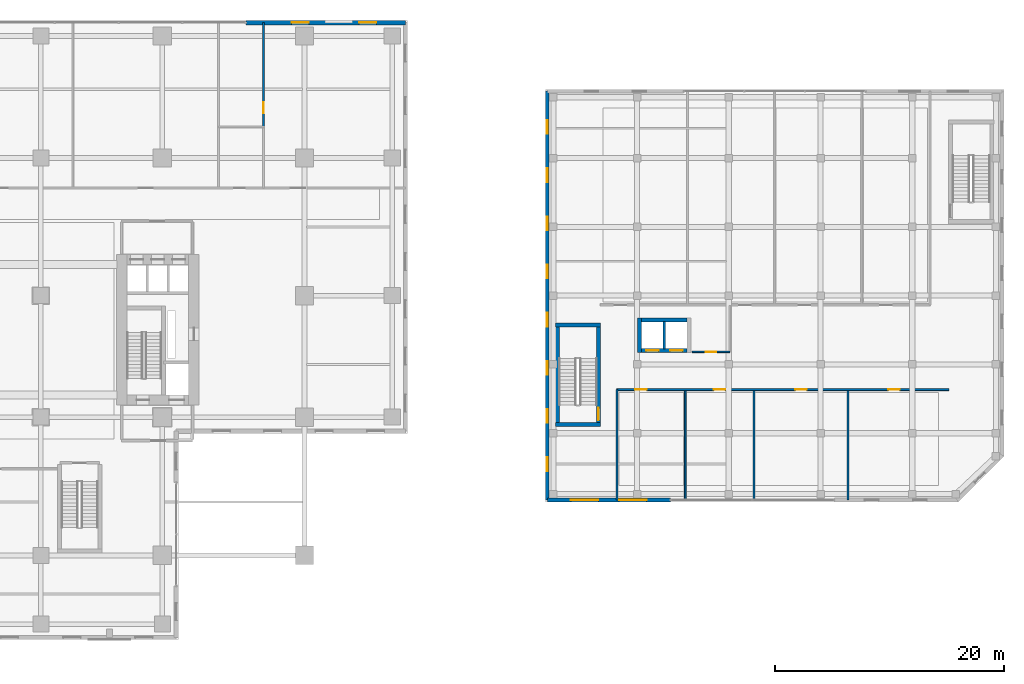
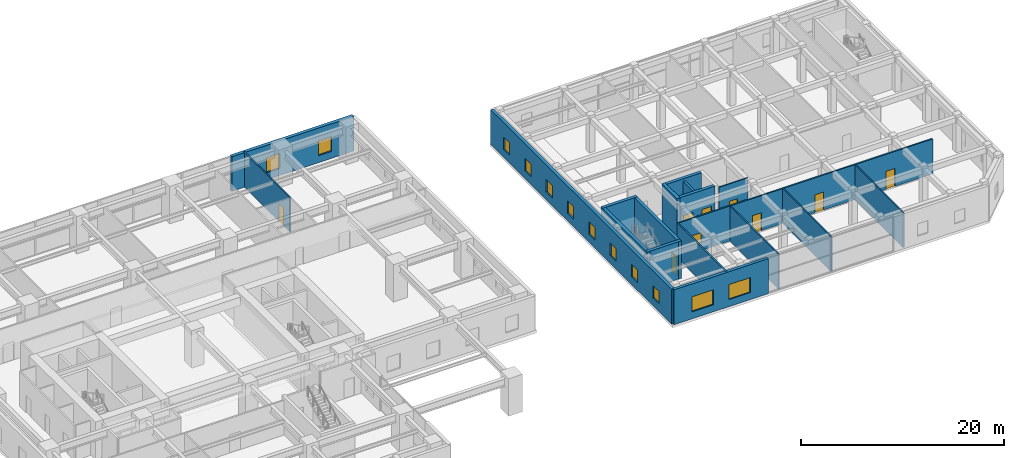
# One storey, part 21 of 28: 18 walls, 12 windows, 9 doors, 21 openings.
"""IFC4 building model written with IfcOpenShell, lengths in metres."""

from ifc_helpers import new_model, si_unit, direction, frame, frame_2d, origin, place, context, subcontext, project, spatial, rectangle, extrude, source, transform, mapped, material, layer, layer_set, type_object, element, fill, save


model = new_model("IFC4")

# Units and contexts
model_context = context("Model", 3, precision=1e-05, world=origin(), true_north=direction((0.0, 1.0)))
body_context = subcontext(model_context, "Body", "Model", "MODEL_VIEW")
ifc_project = project(units=[si_unit("LENGTHUNIT", "METRE"), si_unit("AREAUNIT", "SQUARE_METRE"), si_unit("VOLUMEUNIT", "CUBIC_METRE"), si_unit("PLANEANGLEUNIT", "RADIAN"), si_unit("MASSUNIT", "GRAM", prefix="KILO")], contexts=[model_context])

# Site, building, storey
site_placement = place(None, origin())
site = spatial("IfcSite", under=ifc_project, at=site_placement, CompositionType="ELEMENT")
building_placement = place(site_placement, origin())
building = spatial("IfcBuilding", under=site, at=building_placement, Name="Khoralis Quay Care Tower", CompositionType="ELEMENT")
storey_placement = place(building_placement, frame((0.0, 0.0, 9.0)))
storey = spatial("IfcBuildingStorey", under=building, at=storey_placement, Name="L02", CompositionType="ELEMENT", Elevation=9.0)

# Wall, openings, doors
ifc_material_1 = material(Name="Gypsum plasterboard on acoustic metal stud")
ifc_layer_1 = layer(ifc_material_1, 0.1650390625)
ifc_layer_set_1 = layer_set([ifc_layer_1], Name="Gypsum plasterboard on acoustic metal stud")
wall_type_1 = type_object("IfcWallType", Name="WL-CORR-165", PredefinedType="PARTITIONING", material=ifc_layer_set_1)
wall_1_placement = place(storey_placement, frame((74.25, 15.800048828125, 0.0), z_axis=(0.0, 0.0, 1.0), x_axis=(1.0, 0.0, 0.0)))
wall_1 = element("IfcWall", 1, at=wall_1_placement, inside=storey, type_object=wall_type_1, Name="L02 School Corridor South Wall", PredefinedType="PARTITIONING", context=body_context, shape_type="SweptSolid", body=[
    extrude(rectangle(XDim=28.949951171875, YDim=0.1650390625, at=frame_2d((14.47509765625, 0.0))), origin(), (0.0, 0.0, 1.0), 4.199951171875),
])
opening_1_placement = place(wall_1_placement, frame((1.60009765625, 0.0, 0.0)))
opening_1 = element("IfcOpeningElement", 2, at=opening_1_placement, cuts=wall_1, Name="Opening SCD1", PredefinedType="OPENING", context=body_context, shape_type="SweptSolid", body=[
    extrude(rectangle(XDim=1.0, YDim=2.14990234375, at=frame_2d((0.5, 1.074951171875))), frame((0.0, 0.092529296875, 0.0), z_axis=(0.0, -1.0, 0.0), x_axis=(1.0, 0.0, 0.0)), (0.0, 0.0, 1.0), 0.18505859375),
])
opening_2_placement = place(wall_1_placement, frame((8.449951171875, 0.0, 0.0)))
opening_2 = element("IfcOpeningElement", 3, at=opening_2_placement, cuts=wall_1, Name="Opening SCD1", PredefinedType="OPENING", context=body_context, shape_type="SweptSolid", body=[
    extrude(rectangle(XDim=1.0, YDim=2.14990234375, at=frame_2d((0.5, 1.074951171875))), frame((0.0, 0.092529296875, 0.0), z_axis=(0.0, -1.0, 0.0), x_axis=(1.0, 0.0, 0.0)), (0.0, 0.0, 1.0), 0.18505859375),
])
opening_3_placement = place(wall_1_placement, frame((15.550048828125, 0.0, 0.0)))
opening_3 = element("IfcOpeningElement", 4, at=opening_3_placement, cuts=wall_1, Name="Opening SCD1", PredefinedType="OPENING", context=body_context, shape_type="SweptSolid", body=[
    extrude(rectangle(XDim=1.0, YDim=2.14990234375, at=frame_2d((0.5, 1.074951171875))), frame((0.0, 0.092529296875, 0.0), z_axis=(0.0, -1.0, 0.0), x_axis=(1.0, 0.0, 0.0)), (0.0, 0.0, 1.0), 0.18505859375),
])
opening_4_placement = place(wall_1_placement, frame((23.64990234375, 0.0, 0.0)))
opening_4 = element("IfcOpeningElement", 5, at=opening_4_placement, cuts=wall_1, Name="Opening SCD1", PredefinedType="OPENING", context=body_context, shape_type="SweptSolid", body=[
    extrude(rectangle(XDim=1.0, YDim=2.14990234375, at=frame_2d((0.5, 1.074951171875))), frame((0.0, 0.092529296875, 0.0), z_axis=(0.0, -1.0, 0.0), x_axis=(1.0, 0.0, 0.0)), (0.0, 0.0, 1.0), 0.18505859375),
])
ifc_material_2 = material(Name="Acoustic hardwood timber", Category="wood")
door_type_1 = type_object("IfcDoorType", Name="DR-SCH-1000X2150", OperationType="NOTDEFINED", PredefinedType="DOOR", material=ifc_material_2)
shared_shape_1 = source(origin(), body_context, "Body", "SweptSolid", [
    extrude(rectangle(XDim=1.0, YDim=2.14990234375, at=frame_2d((0.5, 1.074951171875))), frame((0.0, 0.02490234375, 0.0), z_axis=(0.0, -1.0, 0.0), x_axis=(1.0, 0.0, 0.0)), (0.0, 0.0, 1.0), 0.050048828125),
])
door_1_placement = place(opening_1_placement, frame((1.0, 0.0, 0.0), z_axis=(0.0, 0.0, 1.0), x_axis=(-1.0, 0.0, 0.0)))
door_1 = element("IfcDoor", 6, at=door_1_placement, inside=storey, type_object=door_type_1, Name="L02 Digital Media Classroom Door", OperationType="SINGLE_SWING_LEFT", OverallHeight=2.14990234375, OverallWidth=1.0, PredefinedType="DOOR", context=body_context, shape_type="MappedRepresentation", body=[
    mapped(shared_shape_1, transform((0.0, 0.0, 0.0), scale=1.0)),
])
fill(opening_1, door_1)
door_2_placement = place(opening_2_placement, frame((1.0, 0.0, 0.0), z_axis=(0.0, 0.0, 1.0), x_axis=(-1.0, 0.0, 0.0)))
door_2 = element("IfcDoor", 7, at=door_2_placement, inside=storey, type_object=door_type_1, Name="L02 Music & Drama Atelier Door", OperationType="SINGLE_SWING_RIGHT", OverallHeight=2.14990234375, OverallWidth=1.0, PredefinedType="DOOR", context=body_context, shape_type="MappedRepresentation", body=[
    mapped(shared_shape_1, transform((0.0, 0.0, 0.0), scale=1.0)),
])
fill(opening_2, door_2)
door_3_placement = place(opening_3_placement, frame((1.0, 0.0, 0.0), z_axis=(0.0, 0.0, 1.0), x_axis=(-1.0, 0.0, 0.0)))
door_3 = element("IfcDoor", 8, at=door_3_placement, inside=storey, type_object=door_type_1, Name="L02 Primary Classroom Door", OperationType="SINGLE_SWING_LEFT", OverallHeight=2.14990234375, OverallWidth=1.0, PredefinedType="DOOR", context=body_context, shape_type="MappedRepresentation", body=[
    mapped(shared_shape_1, transform((0.0, 0.0, 0.0), scale=1.0)),
])
fill(opening_3, door_3)
door_4_placement = place(opening_4_placement, frame((1.0, 0.0, 0.0), z_axis=(0.0, 0.0, 1.0), x_axis=(-1.0, 0.0, 0.0)))
door_4 = element("IfcDoor", 9, at=door_4_placement, inside=storey, type_object=door_type_1, Name="L02 STEM Science Laboratory Door", OperationType="SINGLE_SWING_RIGHT", OverallHeight=2.14990234375, OverallWidth=1.0, PredefinedType="DOOR", context=body_context, shape_type="MappedRepresentation", body=[
    mapped(shared_shape_1, transform((0.0, 0.0, 0.0), scale=1.0)),
])
fill(opening_4, door_4)

# Wall
wall_2_placement = place(storey_placement, frame((74.25, 6.18505859375, 0.0), z_axis=(0.0, 0.0, 1.0), x_axis=(0.0, 1.0, 0.0)))
element("IfcWall", 10, at=wall_2_placement, inside=storey, type_object=wall_type_1, Name="L02 School Stair Vestibule East Wall", PredefinedType="PARTITIONING", context=body_context, shape_type="SweptSolid", body=[
    extrude(rectangle(XDim=9.614990234375, YDim=0.1650390625, at=frame_2d((4.8076171875, 0.0))), origin(), (0.0, 0.0, 1.0), 4.199951171875),
])

# Wall, openings, windows
ifc_material_3 = material(Name="Precast concrete C45/55", Category="concrete")
ifc_layer_2 = layer(ifc_material_3, 0.3798828125)
ifc_layer_set_2 = layer_set([ifc_layer_2], Name="Precast concrete C45/55")
wall_type_2 = type_object("IfcWallType", Name="WL-EXT-POD-380", PredefinedType="SOLIDWALL", material=ifc_layer_set_2)
wall_3_placement = place(storey_placement, frame((55.81005859375, 47.81005859375, 0.0), z_axis=(0.0, 0.0, 1.0), x_axis=(-1.0, 0.0, 0.0)))
wall_3 = element("IfcWall", 11, at=wall_3_placement, inside=storey, type_object=wall_type_2, Name="L02 External Facade Wall WL-POD-L02-E4A", PredefinedType="SOLIDWALL", context=body_context, shape_type="SweptSolid", body=[
    extrude(rectangle(XDim=13.905029296875, YDim=0.3798828125, at=frame_2d((6.95263671875, 0.0))), origin(), (0.0, 0.0, 1.0), 4.159912109375),
])
opening_5_placement = place(wall_3_placement, frame((2.552490234375, 0.0, 0.85009765625)))
opening_5 = element("IfcOpeningElement", 12, at=opening_5_placement, cuts=wall_3, Name="Opening W3", PredefinedType="OPENING", context=body_context, shape_type="SweptSolid", body=[
    extrude(rectangle(XDim=1.5, YDim=1.800048828125, at=frame_2d((0.75, 0.89990234375))), frame((0.0, 0.199951171875, 0.0), z_axis=(0.0, -1.0, 0.0), x_axis=(1.0, 0.0, 0.0)), (0.0, 0.0, 1.0), 0.39990234375),
])
opening_6_placement = place(wall_3_placement, frame((8.4375, 0.0, 0.85009765625)))
opening_6 = element("IfcOpeningElement", 13, at=opening_6_placement, cuts=wall_3, Name="Opening W3", PredefinedType="OPENING", context=body_context, shape_type="SweptSolid", body=[
    extrude(rectangle(XDim=1.5, YDim=1.800048828125, at=frame_2d((0.75, 0.89990234375))), frame((0.0, 0.199951171875, 0.0), z_axis=(0.0, -1.0, 0.0), x_axis=(1.0, 0.0, 0.0)), (0.0, 0.0, 1.0), 0.39990234375),
])
ifc_material_4 = material(Name="Low-E solar-control double glazing", Category="glass")
window_type_1 = type_object("IfcWindowType", Name="WN-CLIN-1500X1800", PartitioningType="SINGLE_PANEL", PredefinedType="WINDOW", material=ifc_material_4)
shared_shape_2 = source(origin(), body_context, "Body", "SweptSolid", [
    extrude(rectangle(XDim=1.5, YDim=1.800048828125, at=frame_2d((0.75, 0.89990234375))), frame((0.0, 0.030029296875, 0.0), z_axis=(0.0, -1.0, 0.0), x_axis=(1.0, 0.0, 0.0)), (0.0, 0.0, 1.0), 0.06005859375),
])
window_1_placement = place(opening_5_placement, origin())
window_1 = element("IfcWindow", 14, at=window_1_placement, inside=storey, type_object=window_type_1, Name="WN-POD-L02-4A Facade Window 01", OverallHeight=1.800048828125, OverallWidth=1.5, PartitioningType="SINGLE_PANEL", PredefinedType="WINDOW", context=body_context, shape_type="MappedRepresentation", body=[
    mapped(shared_shape_2, transform((0.0, 0.0, 0.0), scale=1.0)),
])
fill(opening_5, window_1)
window_2_placement = place(opening_6_placement, origin())
window_2 = element("IfcWindow", 15, at=window_2_placement, inside=storey, type_object=window_type_1, Name="WN-POD-L02-4A Facade Window 02", OverallHeight=1.800048828125, OverallWidth=1.5, PartitioningType="SINGLE_PANEL", PredefinedType="WINDOW", context=body_context, shape_type="MappedRepresentation", body=[
    mapped(shared_shape_2, transform((0.0, 0.0, 0.0), scale=1.0)),
])
fill(opening_6, window_2)

ifc_material_5 = material(Name="Precast concrete C40/50", Category="concrete")
ifc_layer_3 = layer(ifc_material_5, 0.340087890625)
ifc_layer_set_3 = layer_set([ifc_layer_3], Name="Precast concrete C40/50")
wall_type_3 = type_object("IfcWallType", Name="WL-EXT-SCH-340", PredefinedType="SOLIDWALL", material=ifc_layer_set_3)
wall_4_placement = place(storey_placement, frame((68.169921875, 6.169921875, 0.0), z_axis=(0.0, 0.0, 1.0), x_axis=(1.0, 0.0, 0.0)))
wall_4 = element("IfcWall", 16, at=wall_4_placement, inside=storey, type_object=wall_type_3, Name="L02 External Facade Wall WL-SCH-L02-E0A", PredefinedType="SOLIDWALL", context=body_context, shape_type="SweptSolid", body=[
    extrude(rectangle(XDim=10.72802734375, YDim=0.340087890625, at=frame_2d((5.364013671875, 0.0))), origin(), (0.0, 0.0, 1.0), 4.199951171875),
])
opening_7_placement = place(wall_4_placement, frame((2.06396484375, 0.0, 0.85009765625)))
opening_7 = element("IfcOpeningElement", 17, at=opening_7_placement, cuts=wall_4, Name="Opening W4", PredefinedType="OPENING", context=body_context, shape_type="SweptSolid", body=[
    extrude(rectangle(XDim=2.39990234375, YDim=1.800048828125, at=frame_2d((1.199951171875, 0.89990234375))), frame((0.0, 0.18017578125, 0.0), z_axis=(0.0, -1.0, 0.0), x_axis=(1.0, 0.0, 0.0)), (0.0, 0.0, 1.0), 0.360107421875),
])
opening_8_placement = place(wall_4_placement, frame((6.263916015625, 0.0, 0.85009765625)))
opening_8 = element("IfcOpeningElement", 18, at=opening_8_placement, cuts=wall_4, Name="Opening W4", PredefinedType="OPENING", context=body_context, shape_type="SweptSolid", body=[
    extrude(rectangle(XDim=2.39990234375, YDim=1.800048828125, at=frame_2d((1.199951171875, 0.89990234375))), frame((0.0, 0.18017578125, 0.0), z_axis=(0.0, -1.0, 0.0), x_axis=(1.0, 0.0, 0.0)), (0.0, 0.0, 1.0), 0.360107421875),
])
window_type_2 = type_object("IfcWindowType", Name="WN-SCH-2400X1800", PartitioningType="SINGLE_PANEL", PredefinedType="WINDOW", material=ifc_material_4)
shared_shape_3 = source(origin(), body_context, "Body", "SweptSolid", [
    extrude(rectangle(XDim=2.39990234375, YDim=1.800048828125, at=frame_2d((1.199951171875, 0.89990234375))), frame((0.0, 0.030029296875, 0.0), z_axis=(0.0, -1.0, 0.0), x_axis=(1.0, 0.0, 0.0)), (0.0, 0.0, 1.0), 0.06005859375),
])
window_3_placement = place(opening_7_placement, origin())
window_3 = element("IfcWindow", 19, at=window_3_placement, inside=storey, type_object=window_type_2, Name="WN-SCH-L02-0A Classroom Window 01", OverallHeight=1.800048828125, OverallWidth=2.39990234375, PartitioningType="SINGLE_PANEL", PredefinedType="WINDOW", context=body_context, shape_type="MappedRepresentation", body=[
    mapped(shared_shape_3, transform((0.0, 0.0, 0.0), scale=1.0)),
])
fill(opening_7, window_3)
window_4_placement = place(opening_8_placement, origin())
window_4 = element("IfcWindow", 20, at=window_4_placement, inside=storey, type_object=window_type_2, Name="WN-SCH-L02-0A Classroom Window 02", OverallHeight=1.800048828125, OverallWidth=2.39990234375, PartitioningType="SINGLE_PANEL", PredefinedType="WINDOW", context=body_context, shape_type="MappedRepresentation", body=[
    mapped(shared_shape_3, transform((0.0, 0.0, 0.0), scale=1.0)),
])
fill(opening_8, window_4)

wall_5_placement = place(storey_placement, frame((68.169921875, 41.830078125, 0.0), z_axis=(0.0, 0.0, 1.0), x_axis=(0.0, -1.0, 0.0)))
wall_5 = element("IfcWall", 21, at=wall_5_placement, inside=storey, type_object=wall_type_3, Name="L02 External Facade Wall WL-SCH-L02-E4", PredefinedType="SOLIDWALL", context=body_context, shape_type="SweptSolid", body=[
    extrude(rectangle(XDim=35.66015625, YDim=0.340087890625, at=frame_2d((17.830078125, 0.0))), origin(), (0.0, 0.0, 1.0), 4.199951171875),
])
opening_9_placement = place(wall_5_placement, frame((2.530029296875, 0.0, 0.949951171875)))
opening_9 = element("IfcOpeningElement", 22, at=opening_9_placement, cuts=wall_5, Name="Opening W6", PredefinedType="OPENING", context=body_context, shape_type="SweptSolid", body=[
    extrude(rectangle(XDim=1.199951171875, YDim=1.5, at=frame_2d((0.60009765625, 0.75))), frame((0.0, 0.18017578125, 0.0), z_axis=(0.0, -1.0, 0.0), x_axis=(1.0, 0.0, 0.0)), (0.0, 0.0, 1.0), 0.360107421875),
])
opening_10_placement = place(wall_5_placement, frame((6.72998046875, 0.0, 0.949951171875)))
opening_10 = element("IfcOpeningElement", 23, at=opening_10_placement, cuts=wall_5, Name="Opening W6", PredefinedType="OPENING", context=body_context, shape_type="SweptSolid", body=[
    extrude(rectangle(XDim=1.199951171875, YDim=1.5, at=frame_2d((0.60009765625, 0.75))), frame((0.0, 0.18017578125, 0.0), z_axis=(0.0, -1.0, 0.0), x_axis=(1.0, 0.0, 0.0)), (0.0, 0.0, 1.0), 0.360107421875),
])
opening_11_placement = place(wall_5_placement, frame((10.929931640625, 0.0, 0.949951171875)))
opening_11 = element("IfcOpeningElement", 24, at=opening_11_placement, cuts=wall_5, Name="Opening W6", PredefinedType="OPENING", context=body_context, shape_type="SweptSolid", body=[
    extrude(rectangle(XDim=1.199951171875, YDim=1.5, at=frame_2d((0.60009765625, 0.75))), frame((0.0, 0.18017578125, 0.0), z_axis=(0.0, -1.0, 0.0), x_axis=(1.0, 0.0, 0.0)), (0.0, 0.0, 1.0), 0.360107421875),
])
opening_12_placement = place(wall_5_placement, frame((15.1298828125, 0.0, 0.949951171875)))
opening_12 = element("IfcOpeningElement", 25, at=opening_12_placement, cuts=wall_5, Name="Opening W6", PredefinedType="OPENING", context=body_context, shape_type="SweptSolid", body=[
    extrude(rectangle(XDim=1.199951171875, YDim=1.5, at=frame_2d((0.60009765625, 0.75))), frame((0.0, 0.18017578125, 0.0), z_axis=(0.0, -1.0, 0.0), x_axis=(1.0, 0.0, 0.0)), (0.0, 0.0, 1.0), 0.360107421875),
])
opening_13_placement = place(wall_5_placement, frame((19.330078125, 0.0, 0.949951171875)))
opening_13 = element("IfcOpeningElement", 26, at=opening_13_placement, cuts=wall_5, Name="Opening W6", PredefinedType="OPENING", context=body_context, shape_type="SweptSolid", body=[
    extrude(rectangle(XDim=1.199951171875, YDim=1.5, at=frame_2d((0.60009765625, 0.75))), frame((0.0, 0.18017578125, 0.0), z_axis=(0.0, -1.0, 0.0), x_axis=(1.0, 0.0, 0.0)), (0.0, 0.0, 1.0), 0.360107421875),
])
opening_14_placement = place(wall_5_placement, frame((23.530029296875, 0.0, 0.949951171875)))
opening_14 = element("IfcOpeningElement", 27, at=opening_14_placement, cuts=wall_5, Name="Opening W6", PredefinedType="OPENING", context=body_context, shape_type="SweptSolid", body=[
    extrude(rectangle(XDim=1.199951171875, YDim=1.5, at=frame_2d((0.60009765625, 0.75))), frame((0.0, 0.18017578125, 0.0), z_axis=(0.0, -1.0, 0.0), x_axis=(1.0, 0.0, 0.0)), (0.0, 0.0, 1.0), 0.360107421875),
])
opening_15_placement = place(wall_5_placement, frame((27.72998046875, 0.0, 0.949951171875)))
opening_15 = element("IfcOpeningElement", 28, at=opening_15_placement, cuts=wall_5, Name="Opening W6", PredefinedType="OPENING", context=body_context, shape_type="SweptSolid", body=[
    extrude(rectangle(XDim=1.199951171875, YDim=1.5, at=frame_2d((0.60009765625, 0.75))), frame((0.0, 0.18017578125, 0.0), z_axis=(0.0, -1.0, 0.0), x_axis=(1.0, 0.0, 0.0)), (0.0, 0.0, 1.0), 0.360107421875),
])
opening_16_placement = place(wall_5_placement, frame((31.929931640625, 0.0, 0.949951171875)))
opening_16 = element("IfcOpeningElement", 29, at=opening_16_placement, cuts=wall_5, Name="Opening W6", PredefinedType="OPENING", context=body_context, shape_type="SweptSolid", body=[
    extrude(rectangle(XDim=1.199951171875, YDim=1.5, at=frame_2d((0.60009765625, 0.75))), frame((0.0, 0.18017578125, 0.0), z_axis=(0.0, -1.0, 0.0), x_axis=(1.0, 0.0, 0.0)), (0.0, 0.0, 1.0), 0.360107421875),
])
window_type_3 = type_object("IfcWindowType", Name="WN-SCH-1200X1500", PartitioningType="SINGLE_PANEL", PredefinedType="WINDOW", material=ifc_material_4)
shared_shape_4 = source(origin(), body_context, "Body", "SweptSolid", [
    extrude(rectangle(XDim=1.199951171875, YDim=1.5, at=frame_2d((0.60009765625, 0.75))), frame((0.0, 0.030029296875, 0.0), z_axis=(0.0, -1.0, 0.0), x_axis=(1.0, 0.0, 0.0)), (0.0, 0.0, 1.0), 0.06005859375),
])
window_5_placement = place(opening_9_placement, origin())
window_5 = element("IfcWindow", 30, at=window_5_placement, inside=storey, type_object=window_type_3, Name="WN-SCH-L02-E4 Classroom Window 01", OverallHeight=1.5, OverallWidth=1.199951171875, PartitioningType="SINGLE_PANEL", PredefinedType="WINDOW", context=body_context, shape_type="MappedRepresentation", body=[
    mapped(shared_shape_4, transform((0.0, 0.0, 0.0), scale=1.0)),
])
fill(opening_9, window_5)
window_6_placement = place(opening_10_placement, origin())
window_6 = element("IfcWindow", 31, at=window_6_placement, inside=storey, type_object=window_type_3, Name="WN-SCH-L02-E4 Classroom Window 02", OverallHeight=1.5, OverallWidth=1.199951171875, PartitioningType="SINGLE_PANEL", PredefinedType="WINDOW", context=body_context, shape_type="MappedRepresentation", body=[
    mapped(shared_shape_4, transform((0.0, 0.0, 0.0), scale=1.0)),
])
fill(opening_10, window_6)
window_7_placement = place(opening_11_placement, origin())
window_7 = element("IfcWindow", 32, at=window_7_placement, inside=storey, type_object=window_type_3, Name="WN-SCH-L02-E4 Classroom Window 03", OverallHeight=1.5, OverallWidth=1.199951171875, PartitioningType="SINGLE_PANEL", PredefinedType="WINDOW", context=body_context, shape_type="MappedRepresentation", body=[
    mapped(shared_shape_4, transform((0.0, 0.0, 0.0), scale=1.0)),
])
fill(opening_11, window_7)
window_8_placement = place(opening_12_placement, origin())
window_8 = element("IfcWindow", 33, at=window_8_placement, inside=storey, type_object=window_type_3, Name="WN-SCH-L02-E4 Classroom Window 04", OverallHeight=1.5, OverallWidth=1.199951171875, PartitioningType="SINGLE_PANEL", PredefinedType="WINDOW", context=body_context, shape_type="MappedRepresentation", body=[
    mapped(shared_shape_4, transform((0.0, 0.0, 0.0), scale=1.0)),
])
fill(opening_12, window_8)
window_9_placement = place(opening_13_placement, origin())
window_9 = element("IfcWindow", 34, at=window_9_placement, inside=storey, type_object=window_type_3, Name="WN-SCH-L02-E4 Classroom Window 05", OverallHeight=1.5, OverallWidth=1.199951171875, PartitioningType="SINGLE_PANEL", PredefinedType="WINDOW", context=body_context, shape_type="MappedRepresentation", body=[
    mapped(shared_shape_4, transform((0.0, 0.0, 0.0), scale=1.0)),
])
fill(opening_13, window_9)
window_10_placement = place(opening_14_placement, origin())
window_10 = element("IfcWindow", 35, at=window_10_placement, inside=storey, type_object=window_type_3, Name="WN-SCH-L02-E4 Classroom Window 06", OverallHeight=1.5, OverallWidth=1.199951171875, PartitioningType="SINGLE_PANEL", PredefinedType="WINDOW", context=body_context, shape_type="MappedRepresentation", body=[
    mapped(shared_shape_4, transform((0.0, 0.0, 0.0), scale=1.0)),
])
fill(opening_14, window_10)
window_11_placement = place(opening_15_placement, origin())
window_11 = element("IfcWindow", 36, at=window_11_placement, inside=storey, type_object=window_type_3, Name="WN-SCH-L02-E4 Classroom Window 07", OverallHeight=1.5, OverallWidth=1.199951171875, PartitioningType="SINGLE_PANEL", PredefinedType="WINDOW", context=body_context, shape_type="MappedRepresentation", body=[
    mapped(shared_shape_4, transform((0.0, 0.0, 0.0), scale=1.0)),
])
fill(opening_15, window_11)
window_12_placement = place(opening_16_placement, origin())
window_12 = element("IfcWindow", 37, at=window_12_placement, inside=storey, type_object=window_type_3, Name="WN-SCH-L02-E4 Classroom Window 08", OverallHeight=1.5, OverallWidth=1.199951171875, PartitioningType="SINGLE_PANEL", PredefinedType="WINDOW", context=body_context, shape_type="MappedRepresentation", body=[
    mapped(shared_shape_4, transform((0.0, 0.0, 0.0), scale=1.0)),
])
fill(opening_16, window_12)

# Wall, opening, door
ifc_material_6 = material(Name="Moisture-resistant gypsum and ceramic tile")
ifc_layer_4 = layer(ifc_material_6, 0.280029296875)
ifc_layer_set_4 = layer_set([ifc_layer_4], Name="Moisture-resistant gypsum and ceramic tile")
wall_type_4 = type_object("IfcWallType", Name="WL-PLUMB-280", PredefinedType="PLUMBINGWALL", material=ifc_layer_set_4)
wall_6_placement = place(storey_placement, frame((80.800048828125, 19.10009765625, 0.0), z_axis=(0.0, 0.0, 1.0), x_axis=(1.0, 0.0, 0.0)))
wall_6 = element("IfcWall", 38, at=wall_6_placement, inside=storey, type_object=wall_type_4, Name="L02 School WC South Wall", PredefinedType="PLUMBINGWALL", context=body_context, shape_type="SweptSolid", body=[
    extrude(rectangle(XDim=3.300048828125, YDim=0.139892578125, at=frame_2d((1.64990234375, 0.0))), origin(), (0.0, 0.0, 1.0), 4.199951171875),
])
opening_17_placement = place(wall_6_placement, frame((1.199951171875, 0.0, 0.0)))
opening_17 = element("IfcOpeningElement", 39, at=opening_17_placement, cuts=wall_6, Name="Opening WD1", PredefinedType="OPENING", context=body_context, shape_type="SweptSolid", body=[
    extrude(rectangle(XDim=0.89990234375, YDim=2.10009765625, at=frame_2d((0.449951171875, 1.050048828125))), frame((0.0, 0.080078125, 0.0), z_axis=(0.0, -1.0, 0.0), x_axis=(1.0, 0.0, 0.0)), (0.0, 0.0, 1.0), 0.159912109375),
])
door_type_2 = type_object("IfcDoorType", Name="DR-BATH-900X2100", OperationType="NOTDEFINED", PredefinedType="DOOR", material=ifc_material_2)
shared_shape_5 = source(origin(), body_context, "Body", "SweptSolid", [
    extrude(rectangle(XDim=0.89990234375, YDim=2.10009765625, at=frame_2d((0.449951171875, 1.050048828125))), frame((0.0, 0.02490234375, 0.0), z_axis=(0.0, -1.0, 0.0), x_axis=(1.0, 0.0, 0.0)), (0.0, 0.0, 1.0), 0.050048828125),
])
door_5_placement = place(opening_17_placement, frame((0.89990234375, 0.0, 0.0), z_axis=(0.0, 0.0, 1.0), x_axis=(-1.0, 0.0, 0.0)))
door_5 = element("IfcDoor", 40, at=door_5_placement, inside=storey, type_object=door_type_2, Name="L02 School Accessible WC Door", OperationType="SINGLE_SWING_LEFT", OverallHeight=2.10009765625, OverallWidth=0.89990234375, PredefinedType="DOOR", context=body_context, shape_type="MappedRepresentation", body=[
    mapped(shared_shape_5, transform((0.0, 0.0, 0.0), scale=1.0)),
])
fill(opening_17, door_5)

ifc_material_7 = material(Name="Concrete C40/50", Category="concrete")
ifc_layer_5 = layer(ifc_material_7, 0.35009765625)
ifc_layer_set_5 = layer_set([ifc_layer_5], Name="Concrete C40/50")
wall_type_5 = type_object("IfcWallType", Name="WL-SC-CORE-350", PredefinedType="SHEAR", material=ifc_layer_set_5)
wall_7_placement = place(storey_placement, frame((72.655029296875, 12.570068359375, 0.0), z_axis=(0.0, 0.0, 1.0), x_axis=(0.0, 1.0, 0.0)))
wall_7 = element("IfcWall", 41, at=wall_7_placement, inside=storey, type_object=wall_type_5, Name="L02 School Stair ST-S1 East Shear Wall", PredefinedType="SHEAR", context=body_context, shape_type="SweptSolid", body=[
    extrude(rectangle(XDim=9.059814453125, YDim=0.35009765625, at=frame_2d((4.52978515625, 0.0))), origin(), (0.0, 0.0, 1.0), 4.5),
])
opening_18_placement = place(wall_7_placement, frame((0.550048828125, 0.0, 0.0)))
opening_18 = element("IfcOpeningElement", 42, at=opening_18_placement, cuts=wall_7, Name="Opening SD1", PredefinedType="OPENING", context=body_context, shape_type="SweptSolid", body=[
    extrude(rectangle(XDim=1.10009765625, YDim=2.199951171875, at=frame_2d((0.550048828125, 1.10009765625))), frame((0.0, 0.18505859375, 0.0), z_axis=(0.0, -1.0, 0.0), x_axis=(1.0, 0.0, 0.0)), (0.0, 0.0, 1.0), 0.3701171875),
])
ifc_material_8 = material(Name="Fire-rated painted steel", Category="steel")
door_type_3 = type_object("IfcDoorType", Name="DR-STAIR-1100X2200", OperationType="NOTDEFINED", PredefinedType="DOOR", material=ifc_material_8)
shared_shape_6 = source(origin(), body_context, "Body", "SweptSolid", [
    extrude(rectangle(XDim=1.10009765625, YDim=2.199951171875, at=frame_2d((0.550048828125, 1.10009765625))), frame((0.0, 0.02490234375, 0.0), z_axis=(0.0, -1.0, 0.0), x_axis=(1.0, 0.0, 0.0)), (0.0, 0.0, 1.0), 0.050048828125),
])
door_6_placement = place(opening_18_placement, origin())
door_6 = element("IfcDoor", 43, at=door_6_placement, inside=storey, type_object=door_type_3, Name="L02 School Stair ST-S1 Door", OperationType="SINGLE_SWING_LEFT", OverallHeight=2.199951171875, OverallWidth=1.10009765625, PredefinedType="DOOR", context=body_context, shape_type="MappedRepresentation", body=[
    mapped(shared_shape_6, transform((0.0, 0.0, 0.0), scale=1.0)),
])
fill(opening_18, door_6)

# Walls
for number, where, z_axis, x_axis, name in (
    (44, (68.8701171875, 12.7451171875, 0.0), (0.0, 0.0, 1.0), (1.0, 0.0, 0.0), "L02 School Stair ST-S1 South Shear Wall"),
    (45, (68.8701171875, 21.455078125, 0.0), (0.0, 0.0, 1.0), (1.0, 0.0, 0.0), "L02 School Stair ST-S1 North Shear Wall"),
):
    element("IfcWall", number, at=place(storey_placement, frame(where, z_axis=z_axis, x_axis=x_axis)), inside=storey, type_object=wall_type_5, Name=name, PredefinedType="SHEAR", context=body_context, shape_type="SweptSolid", body=[
        extrude(rectangle(XDim=3.9599609375, YDim=0.35009765625, at=frame_2d((1.97998046875, 0.0))), origin(), (0.0, 0.0, 1.0), 4.5),
    ])
wall_8_placement = place(storey_placement, frame((69.044921875, 12.570068359375, 0.0), z_axis=(0.0, 0.0, 1.0), x_axis=(0.0, 1.0, 0.0)))
element("IfcWall", 46, at=wall_8_placement, inside=storey, type_object=wall_type_5, Name="L02 School Stair ST-S1 West Shear Wall", PredefinedType="SHEAR", context=body_context, shape_type="SweptSolid", body=[
    extrude(rectangle(XDim=9.059814453125, YDim=0.35009765625, at=frame_2d((4.52978515625, 0.0))), origin(), (0.0, 0.0, 1.0), 4.5),
])
wall_9_placement = place(storey_placement, frame((76.22509765625, 19.050048828125, 0.0), z_axis=(0.0, 0.0, 1.0), x_axis=(0.0, 1.0, 0.0)))
element("IfcWall", 47, at=wall_9_placement, inside=storey, type_object=wall_type_5, Name="WL-SCCORE-L02-W", PredefinedType="SHEAR", context=body_context, shape_type="SweptSolid", body=[
    extrude(rectangle(XDim=3.0, YDim=0.35009765625, at=frame_2d((1.5, 0.0))), origin(), (0.0, 0.0, 1.0), 4.5),
])
wall_10_placement = place(storey_placement, frame((76.39990234375, 21.875, 0.0), z_axis=(0.0, 0.0, 1.0), x_axis=(1.0, 0.0, 0.0)))
element("IfcWall", 48, at=wall_10_placement, inside=storey, type_object=wall_type_5, Name="WL-SCCORE-L02-N", PredefinedType="SHEAR", context=body_context, shape_type="SweptSolid", body=[
    extrude(rectangle(XDim=3.9501953125, YDim=0.35009765625, at=frame_2d((1.97509765625, 0.0))), origin(), (0.0, 0.0, 1.0), 4.5),
])

# Wall, openings, doors
wall_11_placement = place(storey_placement, frame((76.39990234375, 19.22509765625, 0.0), z_axis=(0.0, 0.0, 1.0), x_axis=(1.0, 0.0, 0.0)))
wall_11 = element("IfcWall", 49, at=wall_11_placement, inside=storey, type_object=wall_type_5, Name="WL-SCCORE-L02-S", PredefinedType="SHEAR", context=body_context, shape_type="SweptSolid", body=[
    extrude(rectangle(XDim=3.9501953125, YDim=0.35009765625, at=frame_2d((1.97509765625, 0.0))), origin(), (0.0, 0.0, 1.0), 4.5),
])
opening_19_placement = place(wall_11_placement, frame((0.3798828125, 0.0, 0.0)))
opening_19 = element("IfcOpeningElement", 50, at=opening_19_placement, cuts=wall_11, Name="Opening LD1", PredefinedType="OPENING", context=body_context, shape_type="SweptSolid", body=[
    extrude(rectangle(XDim=1.10009765625, YDim=2.199951171875, at=frame_2d((0.550048828125, 1.10009765625))), frame((0.0, 0.18505859375, 0.0), z_axis=(0.0, -1.0, 0.0), x_axis=(1.0, 0.0, 0.0)), (0.0, 0.0, 1.0), 0.3701171875),
])
opening_20_placement = place(wall_11_placement, frame((2.47998046875, 0.0, 0.0)))
opening_20 = element("IfcOpeningElement", 51, at=opening_20_placement, cuts=wall_11, Name="Opening LD1", PredefinedType="OPENING", context=body_context, shape_type="SweptSolid", body=[
    extrude(rectangle(XDim=1.10009765625, YDim=2.199951171875, at=frame_2d((0.550048828125, 1.10009765625))), frame((0.0, 0.18505859375, 0.0), z_axis=(0.0, -1.0, 0.0), x_axis=(1.0, 0.0, 0.0)), (0.0, 0.0, 1.0), 0.3701171875),
])
ifc_material_9 = material(Name="Brushed stainless steel", Category="steel")
door_type_4 = type_object("IfcDoorType", Name="DR-LIFT-1100X2200", OperationType="SLIDING_TO_LEFT", PredefinedType="DOOR", material=ifc_material_9)
shared_shape_7 = source(origin(), body_context, "Body", "SweptSolid", [
    extrude(rectangle(XDim=1.10009765625, YDim=2.199951171875, at=frame_2d((0.550048828125, 1.10009765625))), frame((0.0, 0.02490234375, 0.0), z_axis=(0.0, -1.0, 0.0), x_axis=(1.0, 0.0, 0.0)), (0.0, 0.0, 1.0), 0.050048828125),
])
door_7_placement = place(opening_19_placement, origin())
door_7 = element("IfcDoor", 52, at=door_7_placement, inside=storey, type_object=door_type_4, Name="L02 School Lift 1 Door", OperationType="SLIDING_TO_LEFT", OverallHeight=2.199951171875, OverallWidth=1.10009765625, PredefinedType="DOOR", context=body_context, shape_type="MappedRepresentation", body=[
    mapped(shared_shape_7, transform((0.0, 0.0, 0.0), scale=1.0)),
])
fill(opening_19, door_7)
door_8_placement = place(opening_20_placement, origin())
door_8 = element("IfcDoor", 53, at=door_8_placement, inside=storey, type_object=door_type_4, Name="L02 School Lift 2 Door", OperationType="SLIDING_TO_RIGHT", OverallHeight=2.199951171875, OverallWidth=1.10009765625, PredefinedType="DOOR", context=body_context, shape_type="MappedRepresentation", body=[
    mapped(shared_shape_7, transform((0.0, 0.0, 0.0), scale=1.0)),
])
fill(opening_20, door_8)

# Walls
ifc_layer_6 = layer(ifc_material_1, 0.239990234375)
ifc_layer_set_6 = layer_set([ifc_layer_6], Name="Gypsum plasterboard on acoustic metal stud")
wall_type_6 = type_object("IfcWallType", Name="WL-SHAFT-240", PredefinedType="PARTITIONING", material=ifc_layer_set_6)
wall_12_placement = place(storey_placement, frame((78.3798828125, 19.35009765625, 0.0), z_axis=(0.0, 0.0, 1.0), x_axis=(0.0, 1.0, 0.0)))
element("IfcWall", 54, at=wall_12_placement, inside=storey, type_object=wall_type_6, Name="L02 School Lift Divider", PredefinedType="PARTITIONING", context=body_context, shape_type="SweptSolid", body=[
    extrude(rectangle(XDim=2.39990234375, YDim=0.239990234375, at=frame_2d((1.199951171875, 0.0))), origin(), (0.0, 0.0, 1.0), 4.199951171875),
])
ifc_layer_7 = layer(ifc_material_1, 0.139892578125)
ifc_layer_set_7 = layer_set([ifc_layer_7], Name="Gypsum plasterboard on acoustic metal stud")
wall_type_7 = type_object("IfcWallType", Name="WL-UNIT-140", PredefinedType="PARTITIONING", material=ifc_layer_set_7)
for number, where, z_axis, x_axis, name in (
    (55, (80.199951171875, 6.18505859375, 0.0), (0.0, 0.0, 1.0), (0.0, 1.0, 0.0), "L02 School South Classroom Wall 1"),
    (56, (86.199951171875, 6.18505859375, 0.0), (0.0, 0.0, 1.0), (0.0, 1.0, 0.0), "L02 School South Classroom Wall 2"),
    (57, (94.39990234375, 6.18505859375, 0.0), (0.0, 0.0, 1.0), (0.0, 1.0, 0.0), "L02 School South Classroom Wall 3"),
):
    element("IfcWall", number, at=place(storey_placement, frame(where, z_axis=z_axis, x_axis=x_axis)), inside=storey, type_object=wall_type_7, Name=name, PredefinedType="PARTITIONING", context=body_context, shape_type="SweptSolid", body=[
        extrude(rectangle(XDim=9.537353515625, YDim=0.139892578125, at=frame_2d((4.7685546875, 0.0))), origin(), (0.0, 0.0, 1.0), 4.199951171875),
    ])

# Wall, opening, door
wall_13_placement = place(storey_placement, frame((43.419921875, 38.719970703125, 0.0), z_axis=(0.0, 0.0, 1.0), x_axis=(0.0, 1.0, 0.0)))
wall_13 = element("IfcWall", 58, at=wall_13_placement, inside=storey, type_object=wall_type_7, Name="L02 Podium Store Partition", PredefinedType="PARTITIONING", context=body_context, shape_type="SweptSolid", body=[
    extrude(rectangle(XDim=9.094970703125, YDim=0.139892578125, at=frame_2d((4.54736328125, 0.0))), origin(), (0.0, 0.0, 1.0), 4.159912109375),
])
opening_21_placement = place(wall_13_placement, frame((1.199951171875, 0.0, 0.0)))
opening_21 = element("IfcOpeningElement", 59, at=opening_21_placement, cuts=wall_13, Name="Opening ID1", PredefinedType="OPENING", context=body_context, shape_type="SweptSolid", body=[
    extrude(rectangle(XDim=0.949951171875, YDim=2.10009765625, at=frame_2d((0.47509765625, 1.050048828125))), frame((0.0, 0.080078125, 0.0), z_axis=(0.0, -1.0, 0.0), x_axis=(1.0, 0.0, 0.0)), (0.0, 0.0, 1.0), 0.159912109375),
])
door_type_5 = type_object("IfcDoorType", Name="DR-ROOM-950X2100", OperationType="NOTDEFINED", PredefinedType="DOOR", material=ifc_material_2)
shared_shape_8 = source(origin(), body_context, "Body", "SweptSolid", [
    extrude(rectangle(XDim=0.949951171875, YDim=2.10009765625, at=frame_2d((0.47509765625, 1.050048828125))), frame((0.0, 0.02490234375, 0.0), z_axis=(0.0, -1.0, 0.0), x_axis=(1.0, 0.0, 0.0)), (0.0, 0.0, 1.0), 0.050048828125),
])
door_9_placement = place(opening_21_placement, frame((0.949951171875, 0.0, 0.0), z_axis=(0.0, 0.0, 1.0), x_axis=(-1.0, 0.0, 0.0)))
door_9 = element("IfcDoor", 60, at=door_9_placement, inside=storey, type_object=door_type_5, Name="L02 Sterile Archive Door", OperationType="SINGLE_SWING_LEFT", OverallHeight=2.10009765625, OverallWidth=0.949951171875, PredefinedType="DOOR", context=body_context, shape_type="MappedRepresentation", body=[
    mapped(shared_shape_8, transform((0.0, 0.0, 0.0), scale=1.0)),
])
fill(opening_21, door_9)

save(model, "model.ifc")
